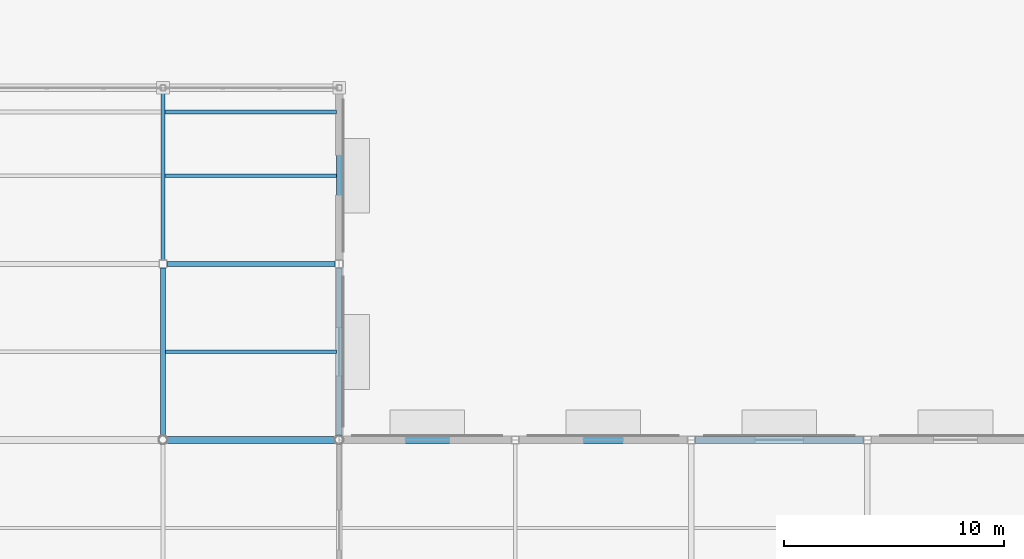
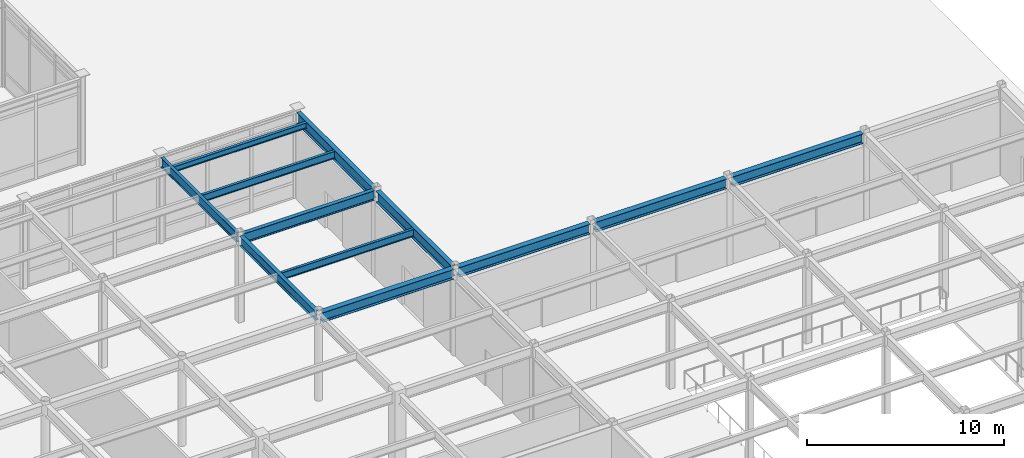
# One storey, part 81 of 128: 12 beams.
"""IFC4 building model written with IfcOpenShell, lengths in metres."""

from ifc_helpers import new_model, si_unit, direction, frame, origin, origin_2d, place, context, subcontext, project, spatial, i_section, extrude, material, material_profile, profile_set, type_object, element, save


model = new_model("IFC4")

# Units and contexts
model_context = context("Model", 3, precision=1e-05, world=origin(), true_north=direction((0.0, 1.0)))
body_context = subcontext(model_context, "Body", "Model", "MODEL_VIEW")
ifc_project = project(units=[si_unit("LENGTHUNIT", "METRE"), si_unit("AREAUNIT", "SQUARE_METRE"), si_unit("VOLUMEUNIT", "CUBIC_METRE"), si_unit("PLANEANGLEUNIT", "RADIAN"), si_unit("MASSUNIT", "GRAM", prefix="KILO")], contexts=[model_context])

# Site, building, storey
site_placement = place(None, origin())
site = spatial("IfcSite", under=ifc_project, at=site_placement, CompositionType="ELEMENT")
building_placement = place(site_placement, origin())
building = spatial("IfcBuilding", under=site, at=building_placement, Name="Solmirada Galleria", CompositionType="ELEMENT")
storey_placement = place(building_placement, origin())
storey = spatial("IfcBuildingStorey", under=building, at=storey_placement, Name="L00", CompositionType="ELEMENT", Elevation=0.0)

# Beams
ifc_material = material(Name="Steel S355 / ASTM A992 Grade 50", Category="steel")
ifc_material_profile_1 = material_profile(ifc_material, i_section(OverallWidth=0.323974609375, OverallDepth=0.611083984375, WebThickness=0.0126953125, FlangeThickness=0.01904296875, FilletRadius=0.014892578125, at=origin_2d()), Name="W24X104")
ifc_profile_set_1 = profile_set([ifc_material_profile_1], Name="Steel S355 / ASTM A992 Grade 50")
beam_type_1 = type_object("IfcBeamType", Name="BM-GIRD-W24A", PredefinedType="BEAM", material=ifc_profile_set_1)
beam_1_placement = place(storey_placement, frame((136.17041015625, 32.0, 5.074462890625), z_axis=(1.0, 0.0, 0.0), x_axis=(0.0, 1.0, 0.0)))
element("IfcBeam", 1, at=beam_1_placement, inside=storey, type_object=beam_type_1, Name="Primary beam L01 X(136..144, 32)", PredefinedType="BEAM", context=body_context, shape_type="SweptSolid", body=[
    extrude(i_section(OverallWidth=0.323974609375, OverallDepth=0.611083984375, WebThickness=0.0126953125, FlangeThickness=0.01904296875, FilletRadius=0.014892578125, at=origin_2d()), origin(), (0.0, 0.0, 1.0), 7.6591796875),
])
beam_2_placement = place(storey_placement, frame((144.17041015625, 32.0, 5.074462890625), z_axis=(1.0, 0.0, 0.0), x_axis=(0.0, 1.0, 0.0)))
element("IfcBeam", 2, at=beam_2_placement, inside=storey, type_object=beam_type_1, Name="Primary beam L01 X(144..152, 32)", PredefinedType="BEAM", context=body_context, shape_type="SweptSolid", body=[
    extrude(i_section(OverallWidth=0.323974609375, OverallDepth=0.611083984375, WebThickness=0.0126953125, FlangeThickness=0.01904296875, FilletRadius=0.014892578125, at=origin_2d()), origin(), (0.0, 0.0, 1.0), 7.651611328125),
])
for number, where, z_axis, x_axis, name in (
    (3, (152.177978515625, 32.0, 5.074462890625), (1.0, 0.0, 0.0), (0.0, 1.0, 0.0), "Primary beam L01 X(152..160, 32)"),
    (4, (160.177978515625, 32.0, 5.074462890625), (1.0, 0.0, 0.0), (0.0, 1.0, 0.0), "Primary beam L01 X(160..168, 32)"),
):
    element("IfcBeam", number, at=place(storey_placement, frame(where, z_axis=z_axis, x_axis=x_axis)), inside=storey, type_object=beam_type_1, Name=name, PredefinedType="BEAM", context=body_context, shape_type="SweptSolid", body=[
        extrude(i_section(OverallWidth=0.323974609375, OverallDepth=0.611083984375, WebThickness=0.0126953125, FlangeThickness=0.01904296875, FilletRadius=0.014892578125, at=origin_2d()), origin(), (0.0, 0.0, 1.0), 7.64404296875),
    ])
ifc_material_profile_2 = material_profile(ifc_material, i_section(OverallWidth=0.22900390625, OverallDepth=0.612060546875, WebThickness=0.011962890625, FlangeThickness=0.01953125, FilletRadius=0.014892578125, at=origin_2d()), Name="W24X84")
ifc_profile_set_2 = profile_set([ifc_material_profile_2], Name="Steel S355 / ASTM A992 Grade 50")
beam_type_2 = type_object("IfcBeamType", Name="BM-GIRD-W24B", PredefinedType="BEAM", material=ifc_profile_set_2)
beam_3_placement = place(storey_placement, frame((136.177978515625, 40.0, 5.073974609375), z_axis=(1.0, 0.0, 0.0), x_axis=(0.0, 1.0, 0.0)))
element("IfcBeam", 5, at=beam_3_placement, inside=storey, type_object=beam_type_2, Name="Primary beam L01 X(136..144, 40)", PredefinedType="BEAM", context=body_context, shape_type="SweptSolid", body=[
    extrude(i_section(OverallWidth=0.22900390625, OverallDepth=0.612060546875, WebThickness=0.011962890625, FlangeThickness=0.01953125, FilletRadius=0.014892578125, at=origin_2d()), origin(), (0.0, 0.0, 1.0), 7.64404296875),
])
ifc_material_profile_3 = material_profile(ifc_material, i_section(OverallWidth=0.22802734375, OverallDepth=0.60302734375, WebThickness=0.010498046875, FlangeThickness=0.014892578125, FilletRadius=0.014892578125, at=origin_2d()), Name="W24X68")
ifc_profile_set_3 = profile_set([ifc_material_profile_3], Name="Steel S355 / ASTM A992 Grade 50")
beam_type_3 = type_object("IfcBeamType", Name="BM-GIRD-W24C", PredefinedType="BEAM", material=ifc_profile_set_3)
beam_4_placement = place(storey_placement, frame((136.0, 32.17041015625, 5.07861328125), z_axis=(0.0, 1.0, 0.0), x_axis=(-1.0, 0.0, 0.0)))
element("IfcBeam", 6, at=beam_4_placement, inside=storey, type_object=beam_type_3, Name="Primary girder L01 Y(136, 32..40)", PredefinedType="BEAM", context=body_context, shape_type="SweptSolid", body=[
    extrude(i_section(OverallWidth=0.22802734375, OverallDepth=0.60302734375, WebThickness=0.010498046875, FlangeThickness=0.014892578125, FilletRadius=0.014892578125, at=origin_2d()), origin(), (0.0, 0.0, 1.0), 7.651611328125),
])
ifc_material_profile_4 = material_profile(ifc_material, i_section(OverallWidth=0.177978515625, OverallDepth=0.59912109375, WebThickness=0.010009765625, FlangeThickness=0.0126953125, FilletRadius=0.013916015625, at=origin_2d()), Name="W24X55")
ifc_profile_set_4 = profile_set([ifc_material_profile_4], Name="Steel S355 / ASTM A992 Grade 50")
beam_type_4 = type_object("IfcBeamType", Name="BM-GIRD-W24D", PredefinedType="BEAM", material=ifc_profile_set_4)
beam_5_placement = place(storey_placement, frame((136.0, 40.177978515625, 5.060546875), z_axis=(0.0, 1.0, 0.0), x_axis=(-1.0, 0.0, 0.0)))
element("IfcBeam", 7, at=beam_5_placement, inside=storey, type_object=beam_type_4, Name="Primary girder L01 Y(136, 40..48)", PredefinedType="BEAM", context=body_context, shape_type="SweptSolid", body=[
    extrude(i_section(OverallWidth=0.177978515625, OverallDepth=0.59912109375, WebThickness=0.010009765625, FlangeThickness=0.0126953125, FilletRadius=0.013916015625, at=origin_2d()), origin(), (0.0, 0.0, 1.0), 7.695068359375),
])
ifc_material_profile_5 = material_profile(ifc_material, i_section(OverallWidth=0.256103515625, OverallDepth=0.693115234375, WebThickness=0.014404296875, FlangeThickness=0.023681640625, FilletRadius=0.01806640625, at=origin_2d()), Name="W27X114")
ifc_profile_set_5 = profile_set([ifc_material_profile_5], Name="Steel S355 / ASTM A992 Grade 50")
beam_type_5 = type_object("IfcBeamType", Name="BM-GIRD-W27A", PredefinedType="BEAM", material=ifc_profile_set_5)
beam_6_placement = place(storey_placement, frame((144.0, 32.17041015625, 5.033447265625), z_axis=(0.0, 1.0, 0.0), x_axis=(-1.0, 0.0, 0.0)))
element("IfcBeam", 8, at=beam_6_placement, inside=storey, type_object=beam_type_5, Name="Primary girder L01 Y(144, 32..40)", PredefinedType="BEAM", context=body_context, shape_type="SweptSolid", body=[
    extrude(i_section(OverallWidth=0.256103515625, OverallDepth=0.693115234375, WebThickness=0.014404296875, FlangeThickness=0.023681640625, FilletRadius=0.01806640625, at=origin_2d()), origin(), (0.0, 0.0, 1.0), 7.651611328125),
])
beam_7_placement = place(storey_placement, frame((144.0, 40.177978515625, 5.013427734375), z_axis=(0.0, 1.0, 0.0), x_axis=(-1.0, 0.0, 0.0)))
element("IfcBeam", 9, at=beam_7_placement, inside=storey, type_object=beam_type_5, Name="Primary girder L01 Y(144, 40..48)", PredefinedType="BEAM", context=body_context, shape_type="SweptSolid", body=[
    extrude(i_section(OverallWidth=0.256103515625, OverallDepth=0.693115234375, WebThickness=0.014404296875, FlangeThickness=0.023681640625, FilletRadius=0.01806640625, at=origin_2d()), origin(), (0.0, 0.0, 1.0), 7.695068359375),
])
ifc_material_profile_6 = material_profile(ifc_material, i_section(OverallWidth=0.1708984375, OverallDepth=0.35205078125, WebThickness=0.0068359375, FlangeThickness=0.009765625, FilletRadius=0.010986328125, at=origin_2d()), Name="W14X30")
ifc_profile_set_6 = profile_set([ifc_material_profile_6], Name="Steel S355 / ASTM A992 Grade 50")
beam_type_6 = type_object("IfcBeamType", Name="BM-JST-W14B", PredefinedType="JOIST", material=ifc_profile_set_6)
beam_8_placement = place(storey_placement, frame((136.089111328125, 46.89990234375, 5.18408203125), z_axis=(1.0, 0.0, 0.0), x_axis=(0.0, 1.0, 0.0)))
element("IfcBeam", 10, at=beam_8_placement, inside=storey, type_object=beam_type_6, Name="Terrace deck joist L01-TERR-SE X=136..144 (2)", PredefinedType="JOIST", context=body_context, shape_type="SweptSolid", body=[
    extrude(i_section(OverallWidth=0.1708984375, OverallDepth=0.35205078125, WebThickness=0.0068359375, FlangeThickness=0.009765625, FilletRadius=0.010986328125, at=origin_2d()), origin(), (0.0, 0.0, 1.0), 7.782958984375),
])
ifc_material_profile_7 = material_profile(ifc_material, i_section(OverallWidth=0.153076171875, OverallDepth=0.455078125, WebThickness=0.008056640625, FlangeThickness=0.01318359375, FilletRadius=0.011962890625, at=origin_2d()), Name="W18X40")
ifc_profile_set_7 = profile_set([ifc_material_profile_7], Name="Steel S355 / ASTM A992 Grade 50")
beam_type_7 = type_object("IfcBeamType", Name="BM-JST-W18A", PredefinedType="JOIST", material=ifc_profile_set_7)
beam_9_placement = place(storey_placement, frame((136.114013671875, 36.0, 5.152587890625), z_axis=(1.0, 0.0, 0.0), x_axis=(0.0, 1.0, 0.0)))
element("IfcBeam", 11, at=beam_9_placement, inside=storey, type_object=beam_type_7, Name="Composite floor joist L01 (136..144, 36.0)", PredefinedType="JOIST", context=body_context, shape_type="SweptSolid", body=[
    extrude(i_section(OverallWidth=0.153076171875, OverallDepth=0.455078125, WebThickness=0.008056640625, FlangeThickness=0.01318359375, FilletRadius=0.011962890625, at=origin_2d()), origin(), (0.0, 0.0, 1.0), 7.758056640625),
])
beam_10_placement = place(storey_placement, frame((136.089111328125, 44.0, 5.132568359375), z_axis=(1.0, 0.0, 0.0), x_axis=(0.0, 1.0, 0.0)))
element("IfcBeam", 12, at=beam_10_placement, inside=storey, type_object=beam_type_7, Name="Composite floor joist L01 (136..144, 44.0)", PredefinedType="JOIST", context=body_context, shape_type="SweptSolid", body=[
    extrude(i_section(OverallWidth=0.153076171875, OverallDepth=0.455078125, WebThickness=0.008056640625, FlangeThickness=0.01318359375, FilletRadius=0.011962890625, at=origin_2d()), origin(), (0.0, 0.0, 1.0), 7.782958984375),
])

save(model, "model.ifc")
